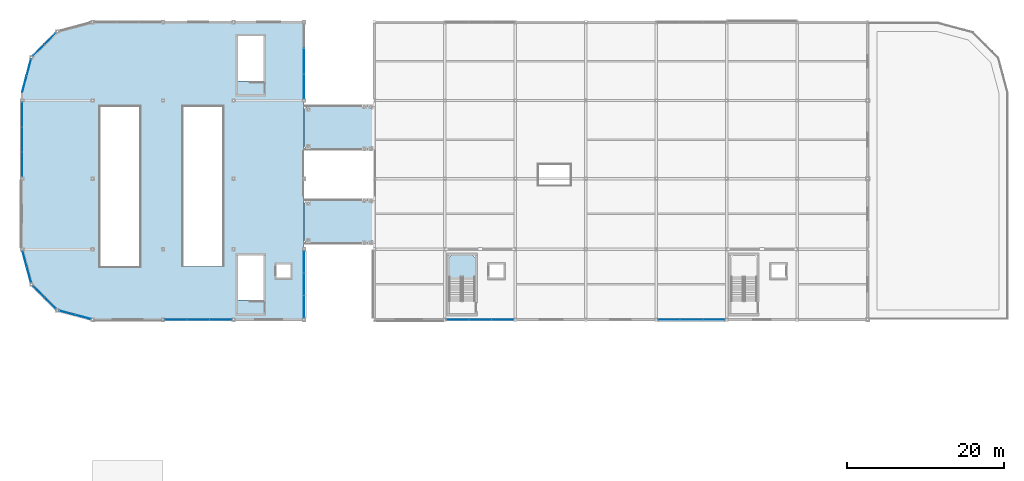
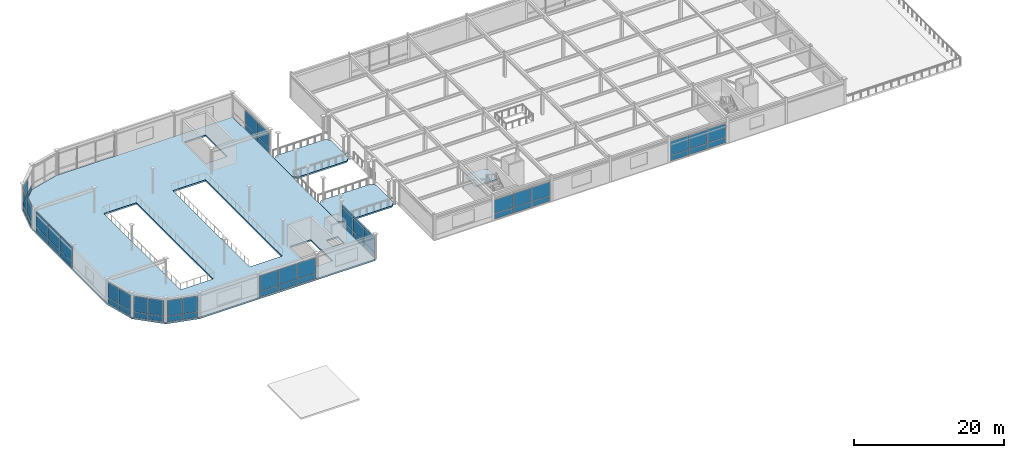
# One storey, part 31 of 53: 53 plates, 4 slabs, 12 elements without a shape of their own.
"""IFC4 building model written with IfcOpenShell, lengths in metres."""

import ifcopenshell
import ifcopenshell.guid

model = None  # the IFC model being written
_history = None  # IfcOwnerHistory: only IFC2X3 demands one
_inside = {}  # id of a spatial element -> (the spatial element, [elements in it])
_under = {}  # id of a project, library or spatial element -> (it, [spatial elements below it])
_declared = {}  # id of a project -> (the project, [libraries it declares])
_typed = {}  # id of a type object -> (the type object, [elements of that type])
_made_of = {}  # id of a material, layer set ... -> (it, [elements and type objects made of it])


def new_model(schema):
    """Start an empty IFC model of exactly this schema.

    Asked for "IFC4X3", IfcOpenShell would pick the latest addendum, in which some entities
    have other attributes; the version numbers below select the first issue.
    IFC2X3 requires an IfcOwnerHistory on every rooted entity: one is made here for all.
    """
    global model, _history
    if schema == "IFC4X3":
        model = ifcopenshell.file(schema_version=(4, 3, 0, 0))
    else:
        model = ifcopenshell.file(schema=schema)
    _inside.clear()
    _under.clear()
    _declared.clear()
    _typed.clear()
    _made_of.clear()
    _history = None
    if model.schema == "IFC2X3":
        org = make("IfcOrganization", Name="unknown")
        user = make(
            "IfcPersonAndOrganization",
            ThePerson=make("IfcPerson", FamilyName="unknown"),
            TheOrganization=org,
        )
        app = make(
            "IfcApplication",
            ApplicationDeveloper=org,
            Version="unknown",
            ApplicationFullName="unknown",
            ApplicationIdentifier="unknown",
        )
        _history = make(
            "IfcOwnerHistory",
            OwningUser=user,
            OwningApplication=app,
            ChangeAction="ADDED",
            CreationDate=0,
        )
    return model


def make(cls, **values):
    """One entity of the class cls with the attributes given. An attribute that is None is left unset."""
    return model.create_entity(
        cls, **{name: value for name, value in values.items() if value is not None}
    )


def rooted(cls, **values):
    """An entity with a GlobalId (a new one), such as an element, a storey or a relation."""
    return make(cls, GlobalId=ifcopenshell.guid.new(), OwnerHistory=_history, **values)


def si_unit(unit_type, name, prefix=None):
    """IfcSIUnit, for example si_unit("LENGTHUNIT", "METRE", prefix="MILLI")."""
    return make("IfcSIUnit", UnitType=unit_type, Prefix=prefix, Name=name)


def assignment(units):
    """IfcUnitAssignment: the units of a project."""
    return None if units is None else make("IfcUnitAssignment", Units=units)


def point(xyz):
    """IfcCartesianPoint."""
    return None if xyz is None else make("IfcCartesianPoint", Coordinates=xyz)


def direction(xyz):
    """IfcDirection."""
    return None if xyz is None else make("IfcDirection", DirectionRatios=xyz)


def frame(location, z_axis=None, x_axis=None):
    """IfcAxis2Placement3D, a coordinate frame: its origin and axes. An axis left out is left unset."""
    return make(
        "IfcAxis2Placement3D",
        Location=point(location),
        Axis=direction(z_axis),
        RefDirection=direction(x_axis),
    )


def frame_2d(location, x_axis=None):
    """IfcAxis2Placement2D, a coordinate frame in the plane: its origin and x axis."""
    return make(
        "IfcAxis2Placement2D", Location=point(location), RefDirection=direction(x_axis)
    )


def origin():
    """The frame at (0, 0, 0) with its axes left unset."""
    return frame((0.0, 0.0, 0.0))


def origin_2d():
    """The frame at (0, 0) in the plane with its x axis left unset."""
    return frame_2d((0.0, 0.0))


def place(relative_to, where):
    """IfcLocalPlacement: puts the frame where relative to a parent placement (None: the world)."""
    return make(
        "IfcLocalPlacement", PlacementRelTo=relative_to, RelativePlacement=where
    )


def context(
    kind, dimensions, precision=None, world=None, true_north=None, identifier=None
):
    """IfcGeometricRepresentationContext, for example the 3D "Model" context."""
    return make(
        "IfcGeometricRepresentationContext",
        ContextIdentifier=identifier,
        ContextType=kind,
        CoordinateSpaceDimension=dimensions,
        Precision=precision,
        WorldCoordinateSystem=world,
        TrueNorth=true_north,
    )


def subcontext(parent, identifier, kind, view, scale=None):
    """IfcGeometricRepresentationSubContext, for example "Body" below "Model"."""
    return make(
        "IfcGeometricRepresentationSubContext",
        ContextIdentifier=identifier,
        ContextType=kind,
        ParentContext=parent,
        TargetScale=scale,
        TargetView=view,
    )


def project(units=None, contexts=None):
    """IfcProject with its units and contexts."""
    return rooted(
        "IfcProject",
        Name="project",
        RepresentationContexts=contexts,
        UnitsInContext=assignment(units),
    )


def spatial(cls, under=None, at=None, **own):
    """A site, building, storey or space (cls), placed at a placement, below another one or the project."""
    s = rooted(cls, ObjectPlacement=at, **own)
    if under is not None:
        _under.setdefault(under.id(), (under, []))[1].append(s)
    return s


def polyline(points):
    """IfcPolyline through the points."""
    return make("IfcPolyline", Points=[point(p) for p in points])


def profile(cls, at=None, kind="AREA", **sizes):
    """A parametric profile (cls). Its sizes go by their IFC names, for example OverallWidth=200.0."""
    return make(cls, ProfileType=kind, Position=at, **sizes)


def rectangle(**sizes):
    """IfcRectangleProfileDef."""
    return profile("IfcRectangleProfileDef", **sizes)


def outline(outer, holes=None, kind="AREA"):
    """IfcArbitraryClosedProfileDef: a profile drawn as a closed curve; with holes, ...WithVoids."""
    if holes is None:
        return make("IfcArbitraryClosedProfileDef", ProfileType=kind, OuterCurve=outer)
    return make(
        "IfcArbitraryProfileDefWithVoids",
        ProfileType=kind,
        OuterCurve=outer,
        InnerCurves=holes,
    )


def extrude(swept, where, along, depth):
    """IfcExtrudedAreaSolid: the profile swept, set in the frame where, extruded along a direction by depth."""
    return make(
        "IfcExtrudedAreaSolid",
        SweptArea=swept,
        Position=where,
        ExtrudedDirection=direction(along),
        Depth=depth,
    )


def shape(context_of_items, identifier, shape_type, items):
    """IfcShapeRepresentation: the items that make up one representation, for example the "Body"."""
    return make(
        "IfcShapeRepresentation",
        ContextOfItems=context_of_items,
        RepresentationIdentifier=identifier,
        RepresentationType=shape_type,
        Items=items,
    )


def material(Name=None, Category=None):
    """IfcMaterial."""
    return make("IfcMaterial", Name=Name, Category=Category)


def layer(
    of_material, thickness, ventilated=None, Name=None, Category=None, Priority=None
):
    """IfcMaterialLayer: one layer of a wall or slab, of a material (None: an air gap)."""
    return make(
        "IfcMaterialLayer",
        Material=of_material,
        LayerThickness=thickness,
        IsVentilated=ventilated,
        Name=Name,
        Category=Category,
        Priority=Priority,
    )


def layer_set(layers, Name=None):
    """IfcMaterialLayerSet."""
    return make("IfcMaterialLayerSet", MaterialLayers=layers, LayerSetName=Name)


def made_of(thing, what):
    """Note that an element or type object is made of a material, layer set ...; save() writes the relation."""
    if what is not None:
        _made_of.setdefault(what.id(), (what, []))[1].append(thing)
    return thing


def type_object(cls, material=None, **own):
    """A type object (cls), such as IfcWallType, which elements share."""
    return made_of(rooted(cls, **own), material)


def element(
    cls,
    number,
    at=None,
    inside=None,
    cuts=None,
    type_object=None,
    material=None,
    context=None,
    identifier="Body",
    shape_type=None,
    held_by="IfcProductDefinitionShape",
    body=None,
    shapes=None,
    **own,
):
    """One element of the class cls, such as IfcWall. Its Tag is "e" and its number.

    at: its placement. inside: the storey or other place that contains it. cuts: it is an
    opening in that element (IfcRelVoidsElement). A single representation is given by context,
    identifier, shape_type and body (its items); several are given by shapes. held_by: the class
    of the entity that holds the representations. save() writes the other relations.
    """
    e = rooted(cls, Tag="e%d" % number, ObjectPlacement=at, **own)
    if body is not None:
        shapes = [shape(context, identifier, shape_type, body)]
    if shapes is not None:
        e.Representation = make(held_by, Representations=shapes)
    if inside is not None:
        _inside.setdefault(inside.id(), (inside, []))[1].append(e)
    if cuts is not None:
        rooted(
            "IfcRelVoidsElement", RelatingBuildingElement=cuts, RelatedOpeningElement=e
        )
    if type_object is not None:
        _typed.setdefault(type_object.id(), (type_object, []))[1].append(e)
    return made_of(e, material)


def aggregate(whole, parts):
    """IfcRelAggregates: a whole, such as a stair, and the parts it consists of."""
    return rooted("IfcRelAggregates", RelatingObject=whole, RelatedObjects=parts)


def save(model, path):
    """Write the relations noted so far, then the file.

    IfcRelAggregates (storeys below a building ...), IfcRelContainedInSpatialStructure (elements
    in a storey), IfcRelDefinesByType, IfcRelAssociatesMaterial and IfcRelDeclares: one each for
    every whole, place, type object, material and project.
    """
    for whole, parts in _under.values():
        aggregate(whole, parts)
    for where, things in _inside.values():
        rooted(
            "IfcRelContainedInSpatialStructure",
            RelatedElements=things,
            RelatingStructure=where,
        )
    for kind, things in _typed.values():
        rooted("IfcRelDefinesByType", RelatedObjects=things, RelatingType=kind)
    for what, things in _made_of.values():
        rooted("IfcRelAssociatesMaterial", RelatedObjects=things, RelatingMaterial=what)
    for by, libraries in _declared.values():
        rooted("IfcRelDeclares", RelatingContext=by, RelatedDefinitions=libraries)
    model.write(path)


model = new_model("IFC4")

# Units and contexts
model_context = context("Model", 3, precision=1e-05, world=origin(), true_north=direction((0.0, 1.0)))
body_context = subcontext(model_context, "Body", "Model", "MODEL_VIEW")
ifc_project = project(units=[si_unit("LENGTHUNIT", "METRE"), si_unit("AREAUNIT", "SQUARE_METRE"), si_unit("VOLUMEUNIT", "CUBIC_METRE"), si_unit("PLANEANGLEUNIT", "RADIAN"), si_unit("MASSUNIT", "GRAM", prefix="KILO")], contexts=[model_context])

# Site, building, storey
site_placement = place(None, origin())
site = spatial("IfcSite", under=ifc_project, at=site_placement, CompositionType="ELEMENT")
building_placement = place(site_placement, origin())
building = spatial("IfcBuilding", under=site, at=building_placement, Name="Suzunagisa Mobility Hub", CompositionType="ELEMENT")
storey_placement = place(building_placement, frame((0.0, 0.0, 17.699951171875)))
storey = spatial("IfcBuildingStorey", under=building, at=storey_placement, Name="L04", CompositionType="ELEMENT", Elevation=17.699951171875)

# Slabs
ifc_material_1 = material(Name="Concrete C35/45", Category="concrete")
ifc_layer_1 = layer(ifc_material_1, 0.260009765625)
ifc_layer_set_1 = layer_set([ifc_layer_1], Name="Concrete C35/45")
slab_type_1 = type_object("IfcSlabType", Name="Composite Slab SL-12 260mm", PredefinedType="FLOOR", material=ifc_layer_set_1)
slab_1_placement = place(storey_placement, frame((0.0, 0.0, -0.260009765625)))
element("IfcSlab", 1, at=slab_1_placement, inside=storey, type_object=slab_type_1, Name="L04 Bridge Deck VRL-L04-S", PredefinedType="FLOOR", context=body_context, shape_type="SweptSolid", body=[
    extrude(outline(polyline([(36.550048828125, 89.60009765625), (44.10009765625, 89.60009765625), (44.64990234375, 90.14990234375), (44.64990234375, 94.85009765625), (44.10009765625, 95.39990234375), (36.550048828125, 95.39990234375), (36.0, 94.85009765625), (36.0, 90.14990234375), (36.550048828125, 89.60009765625)])), origin(), (0.0, 0.0, 1.0), 0.260009765625),
])
slab_2_placement = place(storey_placement, frame((0.0, 0.0, -0.260009765625)))
element("IfcSlab", 2, at=slab_2_placement, inside=storey, type_object=slab_type_1, Name="L04 Bridge Deck VRL-L04-N", PredefinedType="FLOOR", context=body_context, shape_type="SweptSolid", body=[
    extrude(outline(polyline([(36.550048828125, 101.60009765625), (44.10009765625, 101.60009765625), (44.64990234375, 102.14990234375), (44.64990234375, 106.85009765625), (44.10009765625, 107.39990234375), (36.550048828125, 107.39990234375), (36.0, 106.85009765625), (36.0, 102.14990234375), (36.550048828125, 101.60009765625)])), origin(), (0.0, 0.0, 1.0), 0.260009765625),
])
ifc_layer_2 = layer(ifc_material_1, 0.25)
ifc_layer_set_2 = layer_set([ifc_layer_2], Name="Concrete C35/45")
slab_type_2 = type_object("IfcSlabType", Name="Composite Slab SL-13 250mm", PredefinedType="FLOOR", material=ifc_layer_set_2)
slab_3_placement = place(storey_placement, frame((0.0, 0.0, -0.25)))
element("IfcSlab", 3, at=slab_3_placement, inside=storey, type_object=slab_type_2, Name="L04 V2 Floor Slab", PredefinedType="FLOOR", context=body_context, shape_type="SweptSolid", body=[
    extrude(outline(polyline([(0.0, 89.0), (1.205810546875, 84.5), (4.5, 81.205810546875), (9.0, 80.0), (36.0, 80.0), (36.0, 118.0), (9.0, 118.0), (4.5, 116.794189453125), (1.205810546875, 113.5), (0.0, 109.0), (0.0, 89.0)]), holes=[polyline([(27.56005859375, 82.47998046875), (30.840087890625, 82.47998046875), (30.840087890625, 88.199951171875), (27.56005859375, 88.199951171875), (27.56005859375, 82.47998046875)]), polyline([(32.52001953125, 85.3701171875), (34.280029296875, 85.3701171875), (34.280029296875, 87.030029296875), (32.52001953125, 87.030029296875), (32.52001953125, 85.3701171875)]), polyline([(27.56005859375, 110.47998046875), (30.840087890625, 110.47998046875), (30.840087890625, 116.199951171875), (27.56005859375, 116.199951171875), (27.56005859375, 110.47998046875)]), polyline([(10.0, 86.800048828125), (15.0, 86.800048828125), (15.0, 107.199951171875), (10.0, 107.199951171875), (10.0, 86.800048828125)]), polyline([(20.60009765625, 86.800048828125), (25.60009765625, 86.800048828125), (25.60009765625, 107.199951171875), (20.60009765625, 107.199951171875), (20.60009765625, 86.800048828125)])]), origin(), (0.0, 0.0, 1.0), 0.25),
])

# Stair, slab
stair_type = type_object("IfcStairType", Name="Dog-Leg Core Escape Stair ST-07 W1560", PredefinedType="HALF_TURN_STAIR", material=ifc_material_1)
stair_placement = place(storey_placement, origin())
stair = element("IfcStair", 4, at=stair_placement, inside=storey, type_object=stair_type, Name="L04 Core C3 Escape Stair ST-07", PredefinedType="HALF_TURN_STAIR")
ifc_layer_3 = layer(ifc_material_1, 0.199951171875)
ifc_layer_set_3 = layer_set([ifc_layer_3], Name="Concrete C35/45")
slab_type_3 = type_object("IfcSlabType", Name="Core Stair Half-Landing Slab SL-SLND", PredefinedType="LANDING", material=ifc_layer_set_3)
slab_4_placement = place(storey_placement, frame((0.0, 0.0, 1.900146484375)))
slab_4 = element("IfcSlab", 5, at=slab_4_placement, type_object=slab_type_3, Name="ST-07 landing 1", PredefinedType="LANDING", context=body_context, shape_type="SweptSolid", body=[
    extrude(outline(polyline([(54.4599609375, 85.360107421875), (57.93994140625, 85.360107421875), (57.93994140625, 87.820068359375), (57.4599609375, 88.300048828125), (54.93994140625, 88.300048828125), (54.4599609375, 87.820068359375), (54.4599609375, 85.360107421875)])), origin(), (0.0, 0.0, 1.0), 0.199951171875),
])
aggregate(stair, [slab_4])

# Curtain wall, plates
ifc_material_2 = material(Name="Thermally Broken Anodized Aluminum and Low-E Glazing", Category="aluminium")
curtain_wall_type_1 = type_object("IfcCurtainWallType", Name="Unitised Curtain Wall CW-24 4250x3500", PredefinedType="USERDEFINED", material=ifc_material_2)
curtain_wall_1_placement = place(storey_placement, origin())
curtain_wall_1 = element("IfcCurtainWall", 6, at=curtain_wall_1_placement, inside=storey, type_object=curtain_wall_type_1, Name="L04 Unitised Curtain Wall CW-80", ObjectType="UNITISED CURTAIN WALL", PredefinedType="USERDEFINED")
ifc_material_3 = material(Name="Low-E Solar-Control Double Glazing", Category="glass")
ifc_layer_4 = layer(ifc_material_3, 0.028076171875)
ifc_layer_set_4 = layer_set([ifc_layer_4], Name="Low-E Solar-Control Double Glazing")
plate_type = type_object("IfcPlateType", Name="Low-E Double Glazed Curtain Panel GP-01 28mm", PredefinedType="CURTAIN_PANEL", material=ifc_layer_set_4)
plate_1_placement = place(storey_placement, frame((0.33349609375, 87.75537109375, 0.05810546875), z_axis=(0.0, 0.0, 1.0), x_axis=(0.258803152984, -0.965930084429, 0.0)))
plate_1 = element("IfcPlate", 7, at=plate_1_placement, type_object=plate_type, Name="Curtain Wall Glazing Panel 80-P1.1", PredefinedType="CURTAIN_PANEL", context=body_context, shape_type="SweptSolid", body=[
    extrude(rectangle(XDim=2.025634765625, YDim=0.028076171875, at=origin_2d()), origin(), (0.0, 0.0, 1.0), 0.864013671875),
])
plate_2_placement = place(storey_placement, frame((0.33349609375, 87.75537109375, 0.97802734375), z_axis=(0.0, 0.0, 1.0), x_axis=(0.258803152984, -0.965930084429, 0.0)))
plate_2 = element("IfcPlate", 8, at=plate_2_placement, type_object=plate_type, Name="Curtain Wall Glazing Panel 80-P1.2", PredefinedType="CURTAIN_PANEL", context=body_context, shape_type="SweptSolid", body=[
    extrude(rectangle(XDim=2.025634765625, YDim=0.028076171875, at=origin_2d()), origin(), (0.0, 0.0, 1.0), 2.489990234375),
])
plate_3_placement = place(storey_placement, frame((0.872314453125, 85.74462890625, 0.05810546875), z_axis=(0.0, 0.0, 1.0), x_axis=(0.258803152984, -0.965930084429, 0.0)))
plate_3 = element("IfcPlate", 9, at=plate_3_placement, type_object=plate_type, Name="Curtain Wall Glazing Panel 80-P2.1", PredefinedType="CURTAIN_PANEL", context=body_context, shape_type="SweptSolid", body=[
    extrude(rectangle(XDim=2.025634765625, YDim=0.028076171875, at=origin_2d()), origin(), (0.0, 0.0, 1.0), 0.864013671875),
])
plate_4_placement = place(storey_placement, frame((0.872314453125, 85.74462890625, 0.97802734375), z_axis=(0.0, 0.0, 1.0), x_axis=(0.258803152984, -0.965930084429, 0.0)))
plate_4 = element("IfcPlate", 10, at=plate_4_placement, type_object=plate_type, Name="Curtain Wall Glazing Panel 80-P2.2", PredefinedType="CURTAIN_PANEL", context=body_context, shape_type="SweptSolid", body=[
    extrude(rectangle(XDim=2.025634765625, YDim=0.028076171875, at=origin_2d()), origin(), (0.0, 0.0, 1.0), 2.489990234375),
])
aggregate(curtain_wall_1, [plate_1, plate_2, plate_3, plate_4])

curtain_wall_2_placement = place(storey_placement, origin())
curtain_wall_2 = element("IfcCurtainWall", 11, at=curtain_wall_2_placement, inside=storey, type_object=curtain_wall_type_1, Name="L04 Unitised Curtain Wall CW-81", ObjectType="UNITISED CURTAIN WALL", PredefinedType="USERDEFINED")
plate_5_placement = place(storey_placement, frame((2.12890625, 83.576904296875, 0.05810546875), z_axis=(0.0, 0.0, 1.0), x_axis=(0.707106781187, -0.707106781187, 0.0)))
plate_5 = element("IfcPlate", 12, at=plate_5_placement, type_object=plate_type, Name="Curtain Wall Glazing Panel 81-P1.1", PredefinedType="CURTAIN_PANEL", context=body_context, shape_type="SweptSolid", body=[
    extrude(rectangle(XDim=1.991943359375, YDim=0.028076171875, at=origin_2d()), origin(), (0.0, 0.0, 1.0), 0.864013671875),
])
plate_6_placement = place(storey_placement, frame((2.12890625, 83.576904296875, 0.97802734375), z_axis=(0.0, 0.0, 1.0), x_axis=(0.707106781187, -0.707106781187, 0.0)))
plate_6 = element("IfcPlate", 13, at=plate_6_placement, type_object=plate_type, Name="Curtain Wall Glazing Panel 81-P1.2", PredefinedType="CURTAIN_PANEL", context=body_context, shape_type="SweptSolid", body=[
    extrude(rectangle(XDim=1.991943359375, YDim=0.028076171875, at=origin_2d()), origin(), (0.0, 0.0, 1.0), 2.50390625),
])
plate_7_placement = place(storey_placement, frame((3.576904296875, 82.12890625, 0.05810546875), z_axis=(0.0, 0.0, 1.0), x_axis=(0.707106781187, -0.707106781187, 0.0)))
plate_7 = element("IfcPlate", 14, at=plate_7_placement, type_object=plate_type, Name="Curtain Wall Glazing Panel 81-P2.1", PredefinedType="CURTAIN_PANEL", context=body_context, shape_type="SweptSolid", body=[
    extrude(rectangle(XDim=1.991943359375, YDim=0.028076171875, at=origin_2d()), origin(), (0.0, 0.0, 1.0), 0.864013671875),
])
plate_8_placement = place(storey_placement, frame((3.576904296875, 82.12890625, 0.97802734375), z_axis=(0.0, 0.0, 1.0), x_axis=(0.707106781187, -0.707106781187, 0.0)))
plate_8 = element("IfcPlate", 15, at=plate_8_placement, type_object=plate_type, Name="Curtain Wall Glazing Panel 81-P2.2", PredefinedType="CURTAIN_PANEL", context=body_context, shape_type="SweptSolid", body=[
    extrude(rectangle(XDim=1.991943359375, YDim=0.028076171875, at=origin_2d()), origin(), (0.0, 0.0, 1.0), 2.50390625),
])
aggregate(curtain_wall_2, [plate_5, plate_6, plate_7, plate_8])

curtain_wall_3_placement = place(storey_placement, origin())
curtain_wall_3 = element("IfcCurtainWall", 16, at=curtain_wall_3_placement, inside=storey, type_object=curtain_wall_type_1, Name="L04 Unitised Curtain Wall CW-82", ObjectType="UNITISED CURTAIN WALL", PredefinedType="USERDEFINED")
plate_9_placement = place(storey_placement, frame((5.74462890625, 80.872314453125, 0.05810546875), z_axis=(0.0, 0.0, 1.0), x_axis=(0.965930084429, -0.258803152984, 0.0)))
plate_9 = element("IfcPlate", 17, at=plate_9_placement, type_object=plate_type, Name="Curtain Wall Glazing Panel 82-P1.1", PredefinedType="CURTAIN_PANEL", context=body_context, shape_type="SweptSolid", body=[
    extrude(rectangle(XDim=2.025634765625, YDim=0.028076171875, at=origin_2d()), origin(), (0.0, 0.0, 1.0), 0.864013671875),
])
plate_10_placement = place(storey_placement, frame((5.74462890625, 80.872314453125, 0.97802734375), z_axis=(0.0, 0.0, 1.0), x_axis=(0.965930084429, -0.258803152984, 0.0)))
plate_10 = element("IfcPlate", 18, at=plate_10_placement, type_object=plate_type, Name="Curtain Wall Glazing Panel 82-P1.2", PredefinedType="CURTAIN_PANEL", context=body_context, shape_type="SweptSolid", body=[
    extrude(rectangle(XDim=2.025634765625, YDim=0.028076171875, at=origin_2d()), origin(), (0.0, 0.0, 1.0), 2.50390625),
])
plate_11_placement = place(storey_placement, frame((7.75537109375, 80.33349609375, 0.05810546875), z_axis=(0.0, 0.0, 1.0), x_axis=(0.965930084429, -0.258803152984, 0.0)))
plate_11 = element("IfcPlate", 19, at=plate_11_placement, type_object=plate_type, Name="Curtain Wall Glazing Panel 82-P2.1", PredefinedType="CURTAIN_PANEL", context=body_context, shape_type="SweptSolid", body=[
    extrude(rectangle(XDim=2.025634765625, YDim=0.028076171875, at=origin_2d()), origin(), (0.0, 0.0, 1.0), 0.864013671875),
])
plate_12_placement = place(storey_placement, frame((7.75537109375, 80.33349609375, 0.97802734375), z_axis=(0.0, 0.0, 1.0), x_axis=(0.965930084429, -0.258803152984, 0.0)))
plate_12 = element("IfcPlate", 20, at=plate_12_placement, type_object=plate_type, Name="Curtain Wall Glazing Panel 82-P2.2", PredefinedType="CURTAIN_PANEL", context=body_context, shape_type="SweptSolid", body=[
    extrude(rectangle(XDim=2.025634765625, YDim=0.028076171875, at=origin_2d()), origin(), (0.0, 0.0, 1.0), 2.50390625),
])
aggregate(curtain_wall_3, [plate_9, plate_10, plate_11, plate_12])

curtain_wall_type_2 = type_object("IfcCurtainWallType", Name="Unitised Curtain Wall CW-15 8750x3500", PredefinedType="USERDEFINED", material=ifc_material_2)
curtain_wall_4_placement = place(storey_placement, origin())
curtain_wall_4 = element("IfcCurtainWall", 21, at=curtain_wall_4_placement, inside=storey, type_object=curtain_wall_type_2, Name="L04 Unitised Curtain Wall CW-83", ObjectType="UNITISED CURTAIN WALL", PredefinedType="USERDEFINED")
plate_13_placement = place(storey_placement, frame((19.633544921875, 80.0, 0.063232421875), z_axis=(0.0, 0.0, 1.0), x_axis=(1.0, 0.0, 0.0)))
plate_13 = element("IfcPlate", 22, at=plate_13_placement, type_object=plate_type, Name="Curtain Wall Glazing Panel 83-P1.1", PredefinedType="CURTAIN_PANEL", context=body_context, shape_type="SweptSolid", body=[
    extrude(rectangle(XDim=2.79541015625, YDim=0.028076171875, at=origin_2d()), origin(), (0.0, 0.0, 1.0), 0.8564453125),
])
plate_14_placement = place(storey_placement, frame((19.633544921875, 80.0, 0.98046875), z_axis=(0.0, 0.0, 1.0), x_axis=(1.0, 0.0, 0.0)))
plate_14 = element("IfcPlate", 23, at=plate_14_placement, type_object=plate_type, Name="Curtain Wall Glazing Panel 83-P1.2", PredefinedType="CURTAIN_PANEL", context=body_context, shape_type="SweptSolid", body=[
    extrude(rectangle(XDim=2.79541015625, YDim=0.028076171875, at=origin_2d()), origin(), (0.0, 0.0, 1.0), 2.482421875),
])
plate_15_placement = place(storey_placement, frame((22.5, 80.0, 0.063232421875), z_axis=(0.0, 0.0, 1.0), x_axis=(1.0, 0.0, 0.0)))
plate_15 = element("IfcPlate", 24, at=plate_15_placement, type_object=plate_type, Name="Curtain Wall Glazing Panel 83-P2.1", PredefinedType="CURTAIN_PANEL", context=body_context, shape_type="SweptSolid", body=[
    extrude(rectangle(XDim=2.825439453125, YDim=0.028076171875, at=origin_2d()), origin(), (0.0, 0.0, 1.0), 0.8564453125),
])
plate_16_placement = place(storey_placement, frame((22.5, 80.0, 0.98046875), z_axis=(0.0, 0.0, 1.0), x_axis=(1.0, 0.0, 0.0)))
plate_16 = element("IfcPlate", 25, at=plate_16_placement, type_object=plate_type, Name="Curtain Wall Glazing Panel 83-P2.2", PredefinedType="CURTAIN_PANEL", context=body_context, shape_type="SweptSolid", body=[
    extrude(rectangle(XDim=2.825439453125, YDim=0.028076171875, at=origin_2d()), origin(), (0.0, 0.0, 1.0), 2.482421875),
])
plate_17_placement = place(storey_placement, frame((25.366455078125, 80.0, 0.063232421875), z_axis=(0.0, 0.0, 1.0), x_axis=(1.0, 0.0, 0.0)))
plate_17 = element("IfcPlate", 26, at=plate_17_placement, type_object=plate_type, Name="Curtain Wall Glazing Panel 83-P3.1", PredefinedType="CURTAIN_PANEL", context=body_context, shape_type="SweptSolid", body=[
    extrude(rectangle(XDim=2.79541015625, YDim=0.028076171875, at=origin_2d()), origin(), (0.0, 0.0, 1.0), 0.8564453125),
])
plate_18_placement = place(storey_placement, frame((25.366455078125, 80.0, 0.98046875), z_axis=(0.0, 0.0, 1.0), x_axis=(1.0, 0.0, 0.0)))
plate_18 = element("IfcPlate", 27, at=plate_18_placement, type_object=plate_type, Name="Curtain Wall Glazing Panel 83-P3.2", PredefinedType="CURTAIN_PANEL", context=body_context, shape_type="SweptSolid", body=[
    extrude(rectangle(XDim=2.79541015625, YDim=0.028076171875, at=origin_2d()), origin(), (0.0, 0.0, 1.0), 2.482421875),
])
aggregate(curtain_wall_4, [plate_13, plate_14, plate_15, plate_16, plate_17, plate_18])

curtain_wall_5_placement = place(storey_placement, origin())
curtain_wall_5 = element("IfcCurtainWall", 28, at=curtain_wall_5_placement, inside=storey, type_object=curtain_wall_type_2, Name="L04 Unitised Curtain Wall CW-84", ObjectType="UNITISED CURTAIN WALL", PredefinedType="USERDEFINED")
plate_19_placement = place(storey_placement, frame((36.0, 81.633544921875, 0.063232421875), z_axis=(0.0, 0.0, 1.0), x_axis=(0.0, 1.0, 0.0)))
plate_19 = element("IfcPlate", 29, at=plate_19_placement, type_object=plate_type, Name="Curtain Wall Glazing Panel 84-P1.1", PredefinedType="CURTAIN_PANEL", context=body_context, shape_type="SweptSolid", body=[
    extrude(rectangle(XDim=2.79541015625, YDim=0.028076171875, at=origin_2d()), origin(), (0.0, 0.0, 1.0), 0.8564453125),
])
plate_20_placement = place(storey_placement, frame((36.0, 81.633544921875, 0.98046875), z_axis=(0.0, 0.0, 1.0), x_axis=(0.0, 1.0, 0.0)))
plate_20 = element("IfcPlate", 30, at=plate_20_placement, type_object=plate_type, Name="Curtain Wall Glazing Panel 84-P1.2", PredefinedType="CURTAIN_PANEL", context=body_context, shape_type="SweptSolid", body=[
    extrude(rectangle(XDim=2.79541015625, YDim=0.028076171875, at=origin_2d()), origin(), (0.0, 0.0, 1.0), 2.482421875),
])
plate_21_placement = place(storey_placement, frame((36.0, 84.5, 0.063232421875), z_axis=(0.0, 0.0, 1.0), x_axis=(0.0, 1.0, 0.0)))
plate_21 = element("IfcPlate", 31, at=plate_21_placement, type_object=plate_type, Name="Curtain Wall Glazing Panel 84-P2.1", PredefinedType="CURTAIN_PANEL", context=body_context, shape_type="SweptSolid", body=[
    extrude(rectangle(XDim=2.825439453125, YDim=0.028076171875, at=origin_2d()), origin(), (0.0, 0.0, 1.0), 0.8564453125),
])
plate_22_placement = place(storey_placement, frame((36.0, 84.5, 0.98046875), z_axis=(0.0, 0.0, 1.0), x_axis=(0.0, 1.0, 0.0)))
plate_22 = element("IfcPlate", 32, at=plate_22_placement, type_object=plate_type, Name="Curtain Wall Glazing Panel 84-P2.2", PredefinedType="CURTAIN_PANEL", context=body_context, shape_type="SweptSolid", body=[
    extrude(rectangle(XDim=2.825439453125, YDim=0.028076171875, at=origin_2d()), origin(), (0.0, 0.0, 1.0), 2.482421875),
])
plate_23_placement = place(storey_placement, frame((36.0, 87.366455078125, 0.063232421875), z_axis=(0.0, 0.0, 1.0), x_axis=(0.0, 1.0, 0.0)))
plate_23 = element("IfcPlate", 33, at=plate_23_placement, type_object=plate_type, Name="Curtain Wall Glazing Panel 84-P3.1", PredefinedType="CURTAIN_PANEL", context=body_context, shape_type="SweptSolid", body=[
    extrude(rectangle(XDim=2.79541015625, YDim=0.028076171875, at=origin_2d()), origin(), (0.0, 0.0, 1.0), 0.8564453125),
])
plate_24_placement = place(storey_placement, frame((36.0, 87.366455078125, 0.98046875), z_axis=(0.0, 0.0, 1.0), x_axis=(0.0, 1.0, 0.0)))
plate_24 = element("IfcPlate", 34, at=plate_24_placement, type_object=plate_type, Name="Curtain Wall Glazing Panel 84-P3.2", PredefinedType="CURTAIN_PANEL", context=body_context, shape_type="SweptSolid", body=[
    extrude(rectangle(XDim=2.79541015625, YDim=0.028076171875, at=origin_2d()), origin(), (0.0, 0.0, 1.0), 2.482421875),
])
aggregate(curtain_wall_5, [plate_19, plate_20, plate_21, plate_22, plate_23, plate_24])

curtain_wall_type_3 = type_object("IfcCurtainWallType", Name="Unitised Curtain Wall CW-05 9750x3400", PredefinedType="USERDEFINED", material=ifc_material_2)
curtain_wall_6_placement = place(storey_placement, origin())
curtain_wall_6 = element("IfcCurtainWall", 35, at=curtain_wall_6_placement, inside=storey, type_object=curtain_wall_type_3, Name="L04 Unitised Curtain Wall CW-85", ObjectType="UNITISED CURTAIN WALL", PredefinedType="USERDEFINED")
plate_25_placement = place(storey_placement, frame((36.0, 109.80029296875, 0.063232421875), z_axis=(0.0, 0.0, 1.0), x_axis=(0.0, 1.0, 0.0)))
plate_25 = element("IfcPlate", 36, at=plate_25_placement, type_object=plate_type, Name="Curtain Wall Glazing Panel 85-P1.1", PredefinedType="CURTAIN_PANEL", context=body_context, shape_type="SweptSolid", body=[
    extrude(rectangle(XDim=3.12890625, YDim=0.028076171875, at=origin_2d()), origin(), (0.0, 0.0, 1.0), 0.8564453125),
])
plate_26_placement = place(storey_placement, frame((36.0, 109.80029296875, 0.98046875), z_axis=(0.0, 0.0, 1.0), x_axis=(0.0, 1.0, 0.0)))
plate_26 = element("IfcPlate", 37, at=plate_26_placement, type_object=plate_type, Name="Curtain Wall Glazing Panel 85-P1.2", PredefinedType="CURTAIN_PANEL", context=body_context, shape_type="SweptSolid", body=[
    extrude(rectangle(XDim=3.12890625, YDim=0.028076171875, at=origin_2d()), origin(), (0.0, 0.0, 1.0), 2.30859375),
])
plate_27_placement = place(storey_placement, frame((36.0, 113.0, 0.063232421875), z_axis=(0.0, 0.0, 1.0), x_axis=(0.0, 1.0, 0.0)))
plate_27 = element("IfcPlate", 38, at=plate_27_placement, type_object=plate_type, Name="Curtain Wall Glazing Panel 85-P2.1", PredefinedType="CURTAIN_PANEL", context=body_context, shape_type="SweptSolid", body=[
    extrude(rectangle(XDim=3.15869140625, YDim=0.028076171875, at=origin_2d()), origin(), (0.0, 0.0, 1.0), 0.8564453125),
])
plate_28_placement = place(storey_placement, frame((36.0, 113.0, 0.98046875), z_axis=(0.0, 0.0, 1.0), x_axis=(0.0, 1.0, 0.0)))
plate_28 = element("IfcPlate", 39, at=plate_28_placement, type_object=plate_type, Name="Curtain Wall Glazing Panel 85-P2.2", PredefinedType="CURTAIN_PANEL", context=body_context, shape_type="SweptSolid", body=[
    extrude(rectangle(XDim=3.15869140625, YDim=0.028076171875, at=origin_2d()), origin(), (0.0, 0.0, 1.0), 2.30859375),
])
aggregate(curtain_wall_6, [plate_25, plate_26, plate_27, plate_28])

curtain_wall_7_placement = place(storey_placement, origin())
curtain_wall_7 = element("IfcCurtainWall", 40, at=curtain_wall_7_placement, inside=storey, type_object=curtain_wall_type_1, Name="L04 Unitised Curtain Wall CW-88", ObjectType="UNITISED CURTAIN WALL", PredefinedType="USERDEFINED")
plate_29_placement = place(storey_placement, frame((3.576904296875, 115.87109375, 0.05810546875), z_axis=(0.0, 0.0, 1.0), x_axis=(-0.707106781187, -0.707106781187, 0.0)))
plate_29 = element("IfcPlate", 41, at=plate_29_placement, type_object=plate_type, Name="Curtain Wall Glazing Panel 88-P1.1", PredefinedType="CURTAIN_PANEL", context=body_context, shape_type="SweptSolid", body=[
    extrude(rectangle(XDim=1.991943359375, YDim=0.028076171875, at=origin_2d()), origin(), (0.0, 0.0, 1.0), 0.864013671875),
])
plate_30_placement = place(storey_placement, frame((2.12890625, 114.423095703125, 0.05810546875), z_axis=(0.0, 0.0, 1.0), x_axis=(-0.707106781187, -0.707106781187, 0.0)))
plate_30 = element("IfcPlate", 42, at=plate_30_placement, type_object=plate_type, Name="Curtain Wall Glazing Panel 88-P2.1", PredefinedType="CURTAIN_PANEL", context=body_context, shape_type="SweptSolid", body=[
    extrude(rectangle(XDim=1.991943359375, YDim=0.028076171875, at=origin_2d()), origin(), (0.0, 0.0, 1.0), 0.864013671875),
])
plate_31_placement = place(storey_placement, frame((2.12890625, 114.423095703125, 0.97802734375), z_axis=(0.0, 0.0, 1.0), x_axis=(-0.707106781187, -0.707106781187, 0.0)))
plate_31 = element("IfcPlate", 43, at=plate_31_placement, type_object=plate_type, Name="Curtain Wall Glazing Panel 88-P2.2", PredefinedType="CURTAIN_PANEL", context=body_context, shape_type="SweptSolid", body=[
    extrude(rectangle(XDim=1.991943359375, YDim=0.028076171875, at=origin_2d()), origin(), (0.0, 0.0, 1.0), 2.50390625),
])
aggregate(curtain_wall_7, [plate_29, plate_30, plate_31])

curtain_wall_type_4 = type_object("IfcCurtainWallType", Name="Unitised Curtain Wall CW-22 4500x3600", PredefinedType="USERDEFINED", material=ifc_material_2)
curtain_wall_8_placement = place(storey_placement, origin())
curtain_wall_8 = element("IfcCurtainWall", 44, at=curtain_wall_8_placement, inside=storey, type_object=curtain_wall_type_4, Name="L04 Unitised Curtain Wall CW-89", ObjectType="UNITISED CURTAIN WALL", PredefinedType="USERDEFINED")
plate_32_placement = place(storey_placement, frame((0.858154296875, 112.202880859375, 0.05810546875), z_axis=(0.0, 0.0, 1.0), x_axis=(-0.258814496501, -0.965927045072, 0.0)))
plate_32 = element("IfcPlate", 45, at=plate_32_placement, type_object=plate_type, Name="Curtain Wall Glazing Panel 89-P1.1", PredefinedType="CURTAIN_PANEL", context=body_context, shape_type="SweptSolid", body=[
    extrude(rectangle(XDim=2.134521484375, YDim=0.028076171875, at=origin_2d()), origin(), (0.0, 0.0, 1.0), 0.864013671875),
])
plate_33_placement = place(storey_placement, frame((0.858154296875, 112.202880859375, 0.97802734375), z_axis=(0.0, 0.0, 1.0), x_axis=(-0.258814496501, -0.965927045072, 0.0)))
plate_33 = element("IfcPlate", 46, at=plate_33_placement, type_object=plate_type, Name="Curtain Wall Glazing Panel 89-P1.2", PredefinedType="CURTAIN_PANEL", context=body_context, shape_type="SweptSolid", body=[
    extrude(rectangle(XDim=2.134521484375, YDim=0.028076171875, at=origin_2d()), origin(), (0.0, 0.0, 1.0), 2.614013671875),
])
plate_34_placement = place(storey_placement, frame((0.291259765625, 110.0869140625, 0.05810546875), z_axis=(0.0, 0.0, 1.0), x_axis=(-0.258814496501, -0.965927045072, 0.0)))
plate_34 = element("IfcPlate", 47, at=plate_34_placement, type_object=plate_type, Name="Curtain Wall Glazing Panel 89-P2.1", PredefinedType="CURTAIN_PANEL", context=body_context, shape_type="SweptSolid", body=[
    extrude(rectangle(XDim=2.134521484375, YDim=0.028076171875, at=origin_2d()), origin(), (0.0, 0.0, 1.0), 0.864013671875),
])
plate_35_placement = place(storey_placement, frame((0.291259765625, 110.0869140625, 0.97802734375), z_axis=(0.0, 0.0, 1.0), x_axis=(-0.258814496501, -0.965927045072, 0.0)))
plate_35 = element("IfcPlate", 48, at=plate_35_placement, type_object=plate_type, Name="Curtain Wall Glazing Panel 89-P2.2", PredefinedType="CURTAIN_PANEL", context=body_context, shape_type="SweptSolid", body=[
    extrude(rectangle(XDim=2.134521484375, YDim=0.028076171875, at=origin_2d()), origin(), (0.0, 0.0, 1.0), 2.614013671875),
])
aggregate(curtain_wall_8, [plate_32, plate_33, plate_34, plate_35])

curtain_wall_type_5 = type_object("IfcCurtainWallType", Name="Unitised Curtain Wall CW-39 9750x3500", PredefinedType="USERDEFINED", material=ifc_material_2)
curtain_wall_9_placement = place(storey_placement, origin())
curtain_wall_9 = element("IfcCurtainWall", 49, at=curtain_wall_9_placement, inside=storey, type_object=curtain_wall_type_5, Name="L04 Unitised Curtain Wall CW-90", ObjectType="UNITISED CURTAIN WALL", PredefinedType="USERDEFINED")
plate_36_placement = place(storey_placement, frame((0.0, 106.19970703125, 0.063232421875), z_axis=(0.0, 0.0, 1.0), x_axis=(0.0, -1.0, 0.0)))
plate_36 = element("IfcPlate", 50, at=plate_36_placement, type_object=plate_type, Name="Curtain Wall Glazing Panel 90-P1.1", PredefinedType="CURTAIN_PANEL", context=body_context, shape_type="SweptSolid", body=[
    extrude(rectangle(XDim=3.12890625, YDim=0.028076171875, at=origin_2d()), origin(), (0.0, 0.0, 1.0), 0.8564453125),
])
plate_37_placement = place(storey_placement, frame((0.0, 106.19970703125, 0.98046875), z_axis=(0.0, 0.0, 1.0), x_axis=(0.0, -1.0, 0.0)))
plate_37 = element("IfcPlate", 51, at=plate_37_placement, type_object=plate_type, Name="Curtain Wall Glazing Panel 90-P1.2", PredefinedType="CURTAIN_PANEL", context=body_context, shape_type="SweptSolid", body=[
    extrude(rectangle(XDim=3.12890625, YDim=0.028076171875, at=origin_2d()), origin(), (0.0, 0.0, 1.0), 2.482421875),
])
plate_38_placement = place(storey_placement, frame((0.0, 103.0, 0.063232421875), z_axis=(0.0, 0.0, 1.0), x_axis=(0.0, -1.0, 0.0)))
plate_38 = element("IfcPlate", 52, at=plate_38_placement, type_object=plate_type, Name="Curtain Wall Glazing Panel 90-P2.1", PredefinedType="CURTAIN_PANEL", context=body_context, shape_type="SweptSolid", body=[
    extrude(rectangle(XDim=3.15869140625, YDim=0.028076171875, at=origin_2d()), origin(), (0.0, 0.0, 1.0), 0.8564453125),
])
plate_39_placement = place(storey_placement, frame((0.0, 103.0, 0.98046875), z_axis=(0.0, 0.0, 1.0), x_axis=(0.0, -1.0, 0.0)))
plate_39 = element("IfcPlate", 53, at=plate_39_placement, type_object=plate_type, Name="Curtain Wall Glazing Panel 90-P2.2", PredefinedType="CURTAIN_PANEL", context=body_context, shape_type="SweptSolid", body=[
    extrude(rectangle(XDim=3.15869140625, YDim=0.028076171875, at=origin_2d()), origin(), (0.0, 0.0, 1.0), 2.482421875),
])
plate_40_placement = place(storey_placement, frame((0.0, 99.80029296875, 0.063232421875), z_axis=(0.0, 0.0, 1.0), x_axis=(0.0, -1.0, 0.0)))
plate_40 = element("IfcPlate", 54, at=plate_40_placement, type_object=plate_type, Name="Curtain Wall Glazing Panel 90-P3.1", PredefinedType="CURTAIN_PANEL", context=body_context, shape_type="SweptSolid", body=[
    extrude(rectangle(XDim=3.12890625, YDim=0.028076171875, at=origin_2d()), origin(), (0.0, 0.0, 1.0), 0.8564453125),
])
plate_41_placement = place(storey_placement, frame((0.0, 99.80029296875, 0.98046875), z_axis=(0.0, 0.0, 1.0), x_axis=(0.0, -1.0, 0.0)))
plate_41 = element("IfcPlate", 55, at=plate_41_placement, type_object=plate_type, Name="Curtain Wall Glazing Panel 90-P3.2", PredefinedType="CURTAIN_PANEL", context=body_context, shape_type="SweptSolid", body=[
    extrude(rectangle(XDim=3.12890625, YDim=0.028076171875, at=origin_2d()), origin(), (0.0, 0.0, 1.0), 2.482421875),
])
aggregate(curtain_wall_9, [plate_36, plate_37, plate_38, plate_39, plate_40, plate_41])

curtain_wall_type_6 = type_object("IfcCurtainWallType", Name="Unitised Curtain Wall CW-13 8750x3200", PredefinedType="USERDEFINED", material=ifc_material_2)
curtain_wall_10_placement = place(storey_placement, origin())
curtain_wall_10 = element("IfcCurtainWall", 56, at=curtain_wall_10_placement, inside=storey, type_object=curtain_wall_type_6, Name="L04 Unitised Curtain Wall CW-131", ObjectType="UNITISED CURTAIN WALL", PredefinedType="USERDEFINED")
plate_42_placement = place(storey_placement, frame((55.631591796875, 80.0, 0.063232421875), z_axis=(0.0, 0.0, 1.0), x_axis=(1.0, 0.0, 0.0)))
plate_42 = element("IfcPlate", 57, at=plate_42_placement, type_object=plate_type, Name="Curtain Wall Glazing Panel 131-P1.1", PredefinedType="CURTAIN_PANEL", context=body_context, shape_type="SweptSolid", body=[
    extrude(rectangle(XDim=2.79736328125, YDim=0.028076171875, at=origin_2d()), origin(), (0.0, 0.0, 1.0), 0.8564453125),
])
plate_43_placement = place(storey_placement, frame((55.631591796875, 80.0, 0.98046875), z_axis=(0.0, 0.0, 1.0), x_axis=(1.0, 0.0, 0.0)))
plate_43 = element("IfcPlate", 58, at=plate_43_placement, type_object=plate_type, Name="Curtain Wall Glazing Panel 131-P1.2", PredefinedType="CURTAIN_PANEL", context=body_context, shape_type="SweptSolid", body=[
    extrude(rectangle(XDim=2.79736328125, YDim=0.028076171875, at=origin_2d()), origin(), (0.0, 0.0, 1.0), 2.20654296875),
])
plate_44_placement = place(storey_placement, frame((58.5, 80.0, 0.063232421875), z_axis=(0.0, 0.0, 1.0), x_axis=(1.0, 0.0, 0.0)))
plate_44 = element("IfcPlate", 59, at=plate_44_placement, type_object=plate_type, Name="Curtain Wall Glazing Panel 131-P2.1", PredefinedType="CURTAIN_PANEL", context=body_context, shape_type="SweptSolid", body=[
    extrude(rectangle(XDim=2.827392578125, YDim=0.028076171875, at=origin_2d()), origin(), (0.0, 0.0, 1.0), 0.8564453125),
])
plate_45_placement = place(storey_placement, frame((58.5, 80.0, 0.98046875), z_axis=(0.0, 0.0, 1.0), x_axis=(1.0, 0.0, 0.0)))
plate_45 = element("IfcPlate", 60, at=plate_45_placement, type_object=plate_type, Name="Curtain Wall Glazing Panel 131-P2.2", PredefinedType="CURTAIN_PANEL", context=body_context, shape_type="SweptSolid", body=[
    extrude(rectangle(XDim=2.827392578125, YDim=0.028076171875, at=origin_2d()), origin(), (0.0, 0.0, 1.0), 2.20654296875),
])
plate_46_placement = place(storey_placement, frame((61.368408203125, 80.0, 0.063232421875), z_axis=(0.0, 0.0, 1.0), x_axis=(1.0, 0.0, 0.0)))
plate_46 = element("IfcPlate", 61, at=plate_46_placement, type_object=plate_type, Name="Curtain Wall Glazing Panel 131-P3.1", PredefinedType="CURTAIN_PANEL", context=body_context, shape_type="SweptSolid", body=[
    extrude(rectangle(XDim=2.79736328125, YDim=0.028076171875, at=origin_2d()), origin(), (0.0, 0.0, 1.0), 0.8564453125),
])
plate_47_placement = place(storey_placement, frame((61.368408203125, 80.0, 0.98046875), z_axis=(0.0, 0.0, 1.0), x_axis=(1.0, 0.0, 0.0)))
plate_47 = element("IfcPlate", 62, at=plate_47_placement, type_object=plate_type, Name="Curtain Wall Glazing Panel 131-P3.2", PredefinedType="CURTAIN_PANEL", context=body_context, shape_type="SweptSolid", body=[
    extrude(rectangle(XDim=2.79736328125, YDim=0.028076171875, at=origin_2d()), origin(), (0.0, 0.0, 1.0), 2.20654296875),
])
aggregate(curtain_wall_10, [plate_42, plate_43, plate_44, plate_45, plate_46, plate_47])

curtain_wall_11_placement = place(storey_placement, origin())
curtain_wall_11 = element("IfcCurtainWall", 63, at=curtain_wall_11_placement, inside=storey, type_object=curtain_wall_type_6, Name="L04 Unitised Curtain Wall CW-132", ObjectType="UNITISED CURTAIN WALL", PredefinedType="USERDEFINED")
plate_48_placement = place(storey_placement, frame((82.631591796875, 80.0, 0.063232421875), z_axis=(0.0, 0.0, 1.0), x_axis=(1.0, 0.0, 0.0)))
plate_48 = element("IfcPlate", 64, at=plate_48_placement, type_object=plate_type, Name="Curtain Wall Glazing Panel 132-P1.1", PredefinedType="CURTAIN_PANEL", context=body_context, shape_type="SweptSolid", body=[
    extrude(rectangle(XDim=2.79736328125, YDim=0.028076171875, at=origin_2d()), origin(), (0.0, 0.0, 1.0), 0.8564453125),
])
plate_49_placement = place(storey_placement, frame((82.631591796875, 80.0, 0.98046875), z_axis=(0.0, 0.0, 1.0), x_axis=(1.0, 0.0, 0.0)))
plate_49 = element("IfcPlate", 65, at=plate_49_placement, type_object=plate_type, Name="Curtain Wall Glazing Panel 132-P1.2", PredefinedType="CURTAIN_PANEL", context=body_context, shape_type="SweptSolid", body=[
    extrude(rectangle(XDim=2.79736328125, YDim=0.028076171875, at=origin_2d()), origin(), (0.0, 0.0, 1.0), 2.20654296875),
])
plate_50_placement = place(storey_placement, frame((85.5, 80.0, 0.063232421875), z_axis=(0.0, 0.0, 1.0), x_axis=(1.0, 0.0, 0.0)))
plate_50 = element("IfcPlate", 66, at=plate_50_placement, type_object=plate_type, Name="Curtain Wall Glazing Panel 132-P2.1", PredefinedType="CURTAIN_PANEL", context=body_context, shape_type="SweptSolid", body=[
    extrude(rectangle(XDim=2.827392578125, YDim=0.028076171875, at=origin_2d()), origin(), (0.0, 0.0, 1.0), 0.8564453125),
])
plate_51_placement = place(storey_placement, frame((85.5, 80.0, 0.98046875), z_axis=(0.0, 0.0, 1.0), x_axis=(1.0, 0.0, 0.0)))
plate_51 = element("IfcPlate", 67, at=plate_51_placement, type_object=plate_type, Name="Curtain Wall Glazing Panel 132-P2.2", PredefinedType="CURTAIN_PANEL", context=body_context, shape_type="SweptSolid", body=[
    extrude(rectangle(XDim=2.827392578125, YDim=0.028076171875, at=origin_2d()), origin(), (0.0, 0.0, 1.0), 2.20654296875),
])
plate_52_placement = place(storey_placement, frame((88.368408203125, 80.0, 0.063232421875), z_axis=(0.0, 0.0, 1.0), x_axis=(1.0, 0.0, 0.0)))
plate_52 = element("IfcPlate", 68, at=plate_52_placement, type_object=plate_type, Name="Curtain Wall Glazing Panel 132-P3.1", PredefinedType="CURTAIN_PANEL", context=body_context, shape_type="SweptSolid", body=[
    extrude(rectangle(XDim=2.79736328125, YDim=0.028076171875, at=origin_2d()), origin(), (0.0, 0.0, 1.0), 0.8564453125),
])
plate_53_placement = place(storey_placement, frame((88.368408203125, 80.0, 0.98046875), z_axis=(0.0, 0.0, 1.0), x_axis=(1.0, 0.0, 0.0)))
plate_53 = element("IfcPlate", 69, at=plate_53_placement, type_object=plate_type, Name="Curtain Wall Glazing Panel 132-P3.2", PredefinedType="CURTAIN_PANEL", context=body_context, shape_type="SweptSolid", body=[
    extrude(rectangle(XDim=2.79736328125, YDim=0.028076171875, at=origin_2d()), origin(), (0.0, 0.0, 1.0), 2.20654296875),
])
aggregate(curtain_wall_11, [plate_48, plate_49, plate_50, plate_51, plate_52, plate_53])

save(model, "model.ifc")
